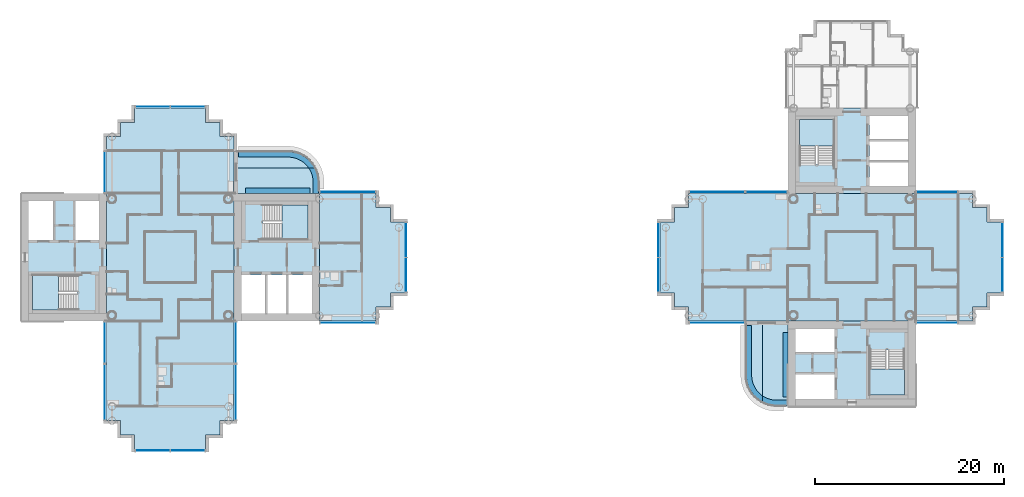
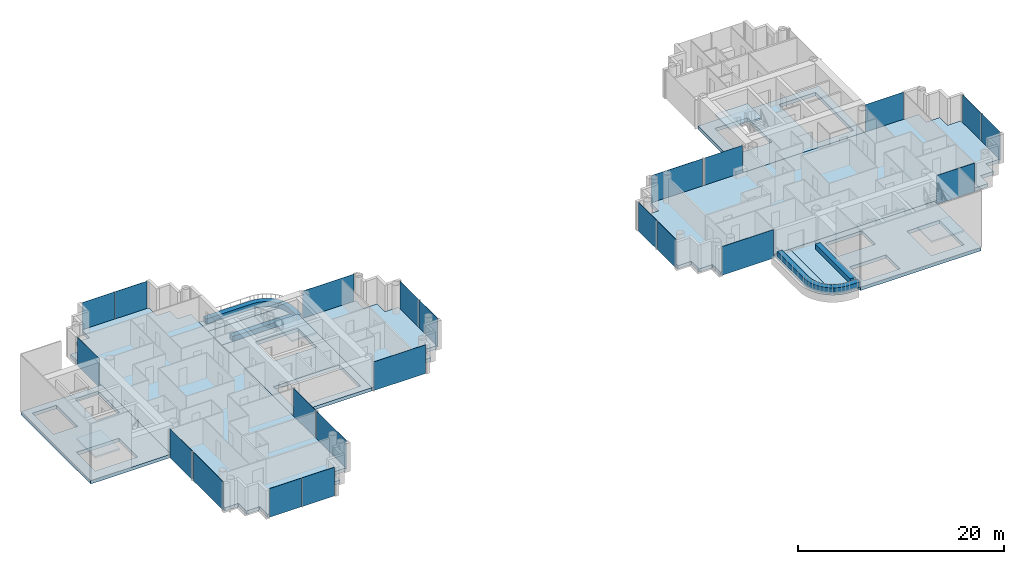
# One storey, part 5 of 19: 22 plates, 21 slabs, 21 elements without a shape of their own.
"""IFC4 building model written with IfcOpenShell, lengths in metres."""

from ifc_helpers import new_model, si_unit, direction, frame, origin, origin_2d, place, context, subcontext, project, spatial, polyline, rectangle, outline, extrude, material, layer, layer_set, type_object, element, aggregate, save


model = new_model("IFC4")

# Units and contexts
model_context = context("Model", 3, precision=1e-05, world=origin(), true_north=direction((0.0, 1.0)))
body_context = subcontext(model_context, "Body", "Model", "MODEL_VIEW")
ifc_project = project(units=[si_unit("LENGTHUNIT", "METRE"), si_unit("AREAUNIT", "SQUARE_METRE"), si_unit("VOLUMEUNIT", "CUBIC_METRE"), si_unit("PLANEANGLEUNIT", "RADIAN"), si_unit("MASSUNIT", "GRAM", prefix="KILO")], contexts=[model_context])

# Site, building, storey
site_placement = place(None, origin())
site = spatial("IfcSite", under=ifc_project, at=site_placement, CompositionType="ELEMENT")
building_placement = place(site_placement, origin())
building = spatial("IfcBuilding", under=site, at=building_placement, Name="Ipe Terrace Towers", CompositionType="ELEMENT")
storey_placement = place(building_placement, frame((0.0, 0.0, 147.300048828125)))
storey = spatial("IfcBuildingStorey", under=building, at=storey_placement, Name="L40", CompositionType="ELEMENT", Elevation=147.300048828125)

# Slabs
ifc_material_1 = material(Name="Concrete C30/37", Category="concrete")
ifc_layer_1 = layer(ifc_material_1, 0.199951171875)
ifc_layer_set_1 = layer_set([ifc_layer_1], Name="BALCONY SLAB 200")
slab_type_1 = type_object("IfcSlabType", Name="BALCONY SLAB 200", PredefinedType="FLOOR", material=ifc_layer_set_1)
slab_1_placement = place(storey_placement, frame((0.0, 0.0, -0.219970703125)))
element("IfcSlab", 1, at=slab_1_placement, inside=storey, type_object=slab_type_1, Name="balcony slab", PredefinedType="FLOOR", context=body_context, shape_type="SweptSolid", body=[
    extrude(outline(polyline([(-20.5009765625, 9.212890625), (-20.617919921875, 9.449951171875), (-29.25, 9.449951171875), (-29.25, 6.75), (-20.25, 6.75), (-20.25, 7.949951171875), (-20.278076171875, 8.381103515625), (-20.362060546875, 8.803955078125), (-20.5009765625, 9.212890625)])), origin(), (0.0, 0.0, 1.0), 0.199951171875),
])
slab_2_placement = place(storey_placement, frame((0.0, 0.0, -0.219970703125)))
element("IfcSlab", 2, at=slab_2_placement, inside=storey, type_object=slab_type_1, Name="balcony slab", PredefinedType="FLOOR", context=body_context, shape_type="SweptSolid", body=[
    extrude(outline(polyline([(-29.25, 11.25), (-29.25, 9.449951171875), (-20.617919921875, 9.449951171875), (-20.69189453125, 9.60009765625), (-20.931884765625, 9.958984375), (-21.217041015625, 10.282958984375), (-21.541015625, 10.568115234375), (-21.89990234375, 10.80810546875), (-22.287109375, 10.9990234375), (-22.696044921875, 11.137939453125), (-23.118896484375, 11.221923828125), (-23.550048828125, 11.25), (-29.25, 11.25)])), origin(), (0.0, 0.0, 1.0), 0.199951171875),
])
slab_3_placement = place(storey_placement, frame((0.0, 0.0, -0.219970703125)))
element("IfcSlab", 3, at=slab_3_placement, inside=storey, type_object=slab_type_1, Name="balcony slab", PredefinedType="FLOOR", context=body_context, shape_type="SweptSolid", body=[
    extrude(outline(polyline([(26.787109375, -15.4990234375), (27.196044921875, -15.637939453125), (27.618896484375, -15.721923828125), (28.050048828125, -15.75), (29.25, -15.75), (29.25, -6.75), (26.550048828125, -6.75), (26.550048828125, -15.382080078125), (26.787109375, -15.4990234375)])), origin(), (0.0, 0.0, 1.0), 0.199951171875),
])
slab_4_placement = place(storey_placement, frame((0.0, 0.0, -0.219970703125)))
element("IfcSlab", 4, at=slab_4_placement, inside=storey, type_object=slab_type_1, Name="balcony slab", PredefinedType="FLOOR", context=body_context, shape_type="SweptSolid", body=[
    extrude(outline(polyline([(24.75, -6.75), (24.75, -12.449951171875), (24.778076171875, -12.881103515625), (24.862060546875, -13.303955078125), (25.0009765625, -13.712890625), (25.19189453125, -14.10009765625), (25.431884765625, -14.458984375), (25.717041015625, -14.782958984375), (26.041015625, -15.068115234375), (26.39990234375, -15.30810546875), (26.550048828125, -15.382080078125), (26.550048828125, -6.75), (24.75, -6.75)])), origin(), (0.0, 0.0, 1.0), 0.199951171875),
])
ifc_material_2 = material(Name="Concrete C30/37", Category="concrete")
ifc_layer_2 = layer(ifc_material_2, 0.39990234375)
ifc_layer_set_2 = layer_set([ifc_layer_2], Name="CORE FLOOR SLAB 400 C30-37")
slab_type_2 = type_object("IfcSlabType", Name="CORE FLOOR SLAB 400 C30-37", PredefinedType="FLOOR", material=ifc_layer_set_2)
slab_5_placement = place(storey_placement, frame((0.0, 0.0, -0.400146484375)))
element("IfcSlab", 5, at=slab_5_placement, inside=storey, type_object=slab_type_2, Name="Core floor T1-C1", PredefinedType="FLOOR", context=body_context, shape_type="SweptSolid", body=[
    extrude(outline(polyline([(-29.25, -6.75), (-29.25, 6.75), (-20.25, 6.75), (-20.25, -6.75), (-29.25, -6.75)]), holes=[polyline([(-28.449951171875, -5.949951171875), (-21.050048828125, -5.949951171875), (-21.050048828125, -1.85009765625), (-28.449951171875, -1.85009765625), (-28.449951171875, -5.949951171875)]), polyline([(-26.199951171875, 5.550048828125), (-26.199951171875, 1.89990234375), (-21.449951171875, 1.89990234375), (-21.449951171875, 5.550048828125), (-26.199951171875, 5.550048828125)])]), origin(), (0.0, 0.0, 1.0), 0.400146484375),
])
slab_6_placement = place(storey_placement, frame((0.0, 0.0, -0.400146484375)))
element("IfcSlab", 6, at=slab_6_placement, inside=storey, type_object=slab_type_2, Name="Core floor T1-C2", PredefinedType="FLOOR", context=body_context, shape_type="SweptSolid", body=[
    extrude(outline(polyline([(-51.75, -6.75), (-51.75, 6.75), (-42.75, 6.75), (-42.75, -6.75), (-51.75, -6.75)]), holes=[polyline([(-45.800048828125, -1.89990234375), (-50.550048828125, -1.89990234375), (-50.550048828125, -5.550048828125), (-45.800048828125, -5.550048828125), (-45.800048828125, -1.89990234375)]), polyline([(-48.25, 1.85009765625), (-48.25, 5.949951171875), (-50.949951171875, 5.949951171875), (-50.949951171875, 1.85009765625), (-48.25, 1.85009765625)]), polyline([(-43.550048828125, 1.85009765625), (-43.550048828125, 5.949951171875), (-46.14990234375, 5.949951171875), (-46.14990234375, 1.85009765625), (-43.550048828125, 1.85009765625)])]), origin(), (0.0, 0.0, 1.0), 0.400146484375),
])
slab_7_placement = place(storey_placement, frame((0.0, 0.0, -0.400146484375)))
element("IfcSlab", 7, at=slab_7_placement, inside=storey, type_object=slab_type_2, Name="Core floor T2-C1", PredefinedType="FLOOR", context=body_context, shape_type="SweptSolid", body=[
    extrude(outline(polyline([(29.25, 6.75), (29.25, 15.75), (42.75, 15.75), (42.75, 6.75), (29.25, 6.75)]), holes=[polyline([(41.949951171875, 7.550048828125), (41.949951171875, 14.949951171875), (37.85009765625, 14.949951171875), (37.85009765625, 7.550048828125), (41.949951171875, 7.550048828125)]), polyline([(30.449951171875, 9.800048828125), (34.10009765625, 9.800048828125), (34.10009765625, 14.550048828125), (30.449951171875, 14.550048828125), (30.449951171875, 9.800048828125)])]), origin(), (0.0, 0.0, 1.0), 0.400146484375),
])
slab_8_placement = place(storey_placement, frame((0.0, 0.0, -0.400146484375)))
element("IfcSlab", 8, at=slab_8_placement, inside=storey, type_object=slab_type_2, Name="Core floor T2-C2", PredefinedType="FLOOR", context=body_context, shape_type="SweptSolid", body=[
    extrude(outline(polyline([(29.25, -15.75), (29.25, -6.75), (42.75, -6.75), (42.75, -15.75), (29.25, -15.75)]), holes=[polyline([(30.050048828125, -12.25), (30.050048828125, -14.949951171875), (34.14990234375, -14.949951171875), (34.14990234375, -12.25), (30.050048828125, -12.25)]), polyline([(41.550048828125, -9.800048828125), (37.89990234375, -9.800048828125), (37.89990234375, -14.550048828125), (41.550048828125, -14.550048828125), (41.550048828125, -9.800048828125)]), polyline([(34.14990234375, -7.550048828125), (30.050048828125, -7.550048828125), (30.050048828125, -10.14990234375), (34.14990234375, -10.14990234375), (34.14990234375, -7.550048828125)])]), origin(), (0.0, 0.0, 1.0), 0.400146484375),
])

# Stair, slab
ifc_material_3 = material(Name="Concrete C30/37", Category="concrete")
stair_type = type_object("IfcStairType", Name="Protected exit stair", PredefinedType="HALF_TURN_STAIR", material=ifc_material_3)
stair_1_placement = place(storey_placement, origin())
stair_1 = element("IfcStair", 9, at=stair_1_placement, inside=storey, type_object=stair_type, Name="L40 Exit stair T1-C1", PredefinedType="HALF_TURN_STAIR")
ifc_material_4 = material(Name="Concrete C30/37", Category="concrete")
ifc_layer_3 = layer(ifc_material_4, 0.199951171875)
ifc_layer_set_3 = layer_set([ifc_layer_3], Name="Exit stair landing 200")
slab_type_3 = type_object("IfcSlabType", Name="Exit stair landing 200", PredefinedType="LANDING", material=ifc_layer_set_3)
slab_9_placement = place(storey_placement, frame((0.0, 0.0, 1.5)))
slab_9 = element("IfcSlab", 10, at=slab_9_placement, type_object=slab_type_3, Name="T1-ST1 landing 1", PredefinedType="LANDING", context=body_context, shape_type="SweptSolid", body=[
    extrude(outline(polyline([(-24.219970703125, 1.89990234375), (-21.449951171875, 1.89990234375), (-21.449951171875, 5.550048828125), (-24.219970703125, 5.550048828125), (-24.219970703125, 1.89990234375)])), origin(), (0.0, 0.0, 1.0), 0.199951171875),
])
aggregate(stair_1, [slab_9])

stair_2_placement = place(storey_placement, origin())
stair_2 = element("IfcStair", 11, at=stair_2_placement, inside=storey, type_object=stair_type, Name="L40 Exit stair T1-C2", PredefinedType="HALF_TURN_STAIR")
slab_10_placement = place(storey_placement, frame((0.0, 0.0, 1.5)))
slab_10 = element("IfcSlab", 12, at=slab_10_placement, type_object=slab_type_3, Name="T1-ST2 landing 1", PredefinedType="LANDING", context=body_context, shape_type="SweptSolid", body=[
    extrude(outline(polyline([(-47.780029296875, -1.89990234375), (-50.550048828125, -1.89990234375), (-50.550048828125, -5.550048828125), (-47.780029296875, -5.550048828125), (-47.780029296875, -1.89990234375)])), origin(), (0.0, 0.0, 1.0), 0.199951171875),
])
aggregate(stair_2, [slab_10])

stair_3_placement = place(storey_placement, origin())
stair_3 = element("IfcStair", 13, at=stair_3_placement, inside=storey, type_object=stair_type, Name="L40 Exit stair T2-C1", PredefinedType="HALF_TURN_STAIR")
slab_11_placement = place(storey_placement, frame((0.0, 0.0, 1.5)))
slab_11 = element("IfcSlab", 14, at=slab_11_placement, type_object=slab_type_3, Name="T2-ST1 landing 1", PredefinedType="LANDING", context=body_context, shape_type="SweptSolid", body=[
    extrude(outline(polyline([(34.10009765625, 11.780029296875), (34.10009765625, 14.550048828125), (30.449951171875, 14.550048828125), (30.449951171875, 11.780029296875), (34.10009765625, 11.780029296875)])), origin(), (0.0, 0.0, 1.0), 0.199951171875),
])
aggregate(stair_3, [slab_11])

stair_4_placement = place(storey_placement, origin())
stair_4 = element("IfcStair", 15, at=stair_4_placement, inside=storey, type_object=stair_type, Name="L40 Exit stair T2-C2", PredefinedType="HALF_TURN_STAIR")
slab_12_placement = place(storey_placement, frame((0.0, 0.0, 1.5)))
slab_12 = element("IfcSlab", 16, at=slab_12_placement, type_object=slab_type_3, Name="T2-ST2 landing 1", PredefinedType="LANDING", context=body_context, shape_type="SweptSolid", body=[
    extrude(outline(polyline([(37.89990234375, -11.780029296875), (37.89990234375, -14.550048828125), (41.550048828125, -14.550048828125), (41.550048828125, -11.780029296875), (37.89990234375, -11.780029296875)])), origin(), (0.0, 0.0, 1.0), 0.199951171875),
])
aggregate(stair_4, [slab_12])

# Slabs
ifc_material_5 = material(Name="Concrete C40/50", Category="concrete")
ifc_layer_4 = layer(ifc_material_5, 0.39990234375)
ifc_layer_set_4 = layer_set([ifc_layer_4], Name="FLAT PLATE SLAB 400 C40-50")
slab_type_4 = type_object("IfcSlabType", Name="FLAT PLATE SLAB 400 C40-50", PredefinedType="FLOOR", material=ifc_layer_set_4)
slab_13_placement = place(storey_placement, frame((0.0, 0.0, -0.400146484375)))
element("IfcSlab", 17, at=slab_13_placement, inside=storey, type_object=slab_type_4, Name="Slab T1-FS-Z31", PredefinedType="FLOOR", context=body_context, shape_type="SweptSolid", body=[
    extrude(outline(polyline([(-30.75, -17.25), (-30.75, -18.75), (-32.25, -18.75), (-32.25, -20.25), (-39.75, -20.25), (-39.75, -18.75), (-41.25, -18.75), (-41.25, -17.25), (-42.75, -17.25), (-42.75, -6.75), (-42.75, 6.75), (-42.75, 12.75), (-41.25, 12.75), (-41.25, 14.25), (-39.75, 14.25), (-39.75, 15.75), (-32.25, 15.75), (-32.25, 14.25), (-30.75, 14.25), (-30.75, 12.75), (-29.25, 12.75), (-29.25, 6.75), (-29.25, -6.75), (-29.25, -17.25), (-30.75, -17.25)])), origin(), (0.0, 0.0, 1.0), 0.400146484375),
])
slab_14_placement = place(storey_placement, frame((0.0, 0.0, -0.400146484375)))
element("IfcSlab", 18, at=slab_14_placement, inside=storey, type_object=slab_type_4, Name="Slab T1-FS-Z32", PredefinedType="FLOOR", context=body_context, shape_type="SweptSolid", body=[
    extrude(outline(polyline([(-14.25, 5.25), (-12.75, 5.25), (-12.75, 3.75), (-11.25, 3.75), (-11.25, -3.75), (-12.75, -3.75), (-12.75, -5.25), (-14.25, -5.25), (-14.25, -6.75), (-20.25, -6.75), (-20.25, 6.75), (-14.25, 6.75), (-14.25, 5.25)])), origin(), (0.0, 0.0, 1.0), 0.400146484375),
])
slab_15_placement = place(storey_placement, frame((0.0, 0.0, -0.400146484375)))
element("IfcSlab", 19, at=slab_15_placement, inside=storey, type_object=slab_type_4, Name="Slab T2-FS-Z31", PredefinedType="FLOOR", context=body_context, shape_type="SweptSolid", body=[
    extrude(outline(polyline([(48.75, 5.25), (50.25, 5.25), (50.25, 3.75), (51.75, 3.75), (51.75, -3.75), (50.25, -3.75), (50.25, -5.25), (48.75, -5.25), (48.75, -6.75), (42.75, -6.75), (29.25, -6.75), (18.75, -6.75), (18.75, -5.25), (17.25, -5.25), (17.25, -3.75), (15.75, -3.75), (15.75, 3.75), (17.25, 3.75), (17.25, 5.25), (18.75, 5.25), (18.75, 6.75), (29.25, 6.75), (42.75, 6.75), (48.75, 6.75), (48.75, 5.25)])), origin(), (0.0, 0.0, 1.0), 0.400146484375),
])
ifc_material_6 = material(Name="Concrete C30/37", Category="concrete")
ifc_layer_5 = layer(ifc_material_6, 0.60009765625)
ifc_layer_set_5 = layer_set([ifc_layer_5], Name="PLANTER TROUGH 550 x 600")
slab_type_5 = type_object("IfcSlabType", Name="PLANTER TROUGH 550 x 600", PredefinedType="USERDEFINED", material=ifc_layer_set_5)
slab_16_placement = place(storey_placement, frame((0.0, 0.0, -0.02001953125)))
element("IfcSlab", 20, at=slab_16_placement, inside=storey, type_object=slab_type_5, Name="planter", ObjectType="PLANTER", PredefinedType="USERDEFINED", context=body_context, shape_type="SweptSolid", body=[
    extrude(outline(polyline([(-21.0009765625, 8.633056640625), (-20.93408203125, 8.2939453125), (-20.909912109375, 7.927978515625), (-20.909912109375, 6.75), (-20.360107421875, 6.75), (-20.360107421875, 7.93701171875), (-20.361083984375, 7.955078125), (-20.385986328125, 8.347900390625), (-20.39111328125, 8.384033203125), (-20.465087890625, 8.758056640625), (-20.47509765625, 8.79296875), (-20.596923828125, 9.154052734375), (-20.611083984375, 9.18701171875), (-20.740966796875, 9.449951171875), (-21.385986328125, 9.449951171875), (-21.264892578125, 9.26904296875), (-21.112060546875, 8.9599609375), (-21.0009765625, 8.633056640625)])), origin(), (0.0, 0.0, 1.0), 0.599853515625),
])
slab_17_placement = place(storey_placement, frame((0.0, 0.0, -0.02001953125)))
element("IfcSlab", 21, at=slab_17_placement, inside=storey, type_object=slab_type_5, Name="planter", ObjectType="PLANTER", PredefinedType="USERDEFINED", context=body_context, shape_type="SweptSolid", body=[
    extrude(outline(polyline([(-21.45703125, 9.555908203125), (-21.385986328125, 9.449951171875), (-20.740966796875, 9.449951171875), (-20.780029296875, 9.529052734375), (-20.798095703125, 9.56005859375), (-21.009033203125, 9.876953125), (-21.031005859375, 9.905029296875), (-21.282958984375, 10.19189453125), (-21.30810546875, 10.217041015625), (-21.594970703125, 10.468994140625), (-21.623046875, 10.490966796875), (-21.93994140625, 10.701904296875), (-21.970947265625, 10.719970703125), (-22.31298828125, 10.888916015625), (-22.345947265625, 10.903076171875), (-22.70703125, 11.02490234375), (-22.741943359375, 11.034912109375), (-23.115966796875, 11.10888671875), (-23.152099609375, 11.114013671875), (-23.544921875, 11.138916015625), (-23.56298828125, 11.139892578125), (-28.800048828125, 11.139892578125), (-28.800048828125, 10.590087890625), (-23.572021484375, 10.590087890625), (-23.2060546875, 10.56591796875), (-22.866943359375, 10.4990234375), (-22.5400390625, 10.387939453125), (-22.23095703125, 10.235107421875), (-21.944091796875, 10.04296875), (-21.68408203125, 9.81591796875), (-21.45703125, 9.555908203125)])), origin(), (0.0, 0.0, 1.0), 0.599853515625),
])
slab_18_placement = place(storey_placement, frame((0.0, 0.0, -0.02001953125)))
element("IfcSlab", 22, at=slab_18_placement, inside=storey, type_object=slab_type_5, Name="planter", ObjectType="PLANTER", PredefinedType="USERDEFINED", context=body_context, shape_type="SweptSolid", body=[
    extrude(outline(polyline([(-28.050048828125, 6.75), (-21.25, 6.75), (-21.25, 7.300048828125), (-28.050048828125, 7.300048828125), (-28.050048828125, 6.75)])), origin(), (0.0, 0.0, 1.0), 0.599853515625),
])
slab_19_placement = place(storey_placement, frame((0.0, 0.0, -0.02001953125)))
element("IfcSlab", 23, at=slab_19_placement, inside=storey, type_object=slab_type_5, Name="planter", ObjectType="PLANTER", PredefinedType="USERDEFINED", context=body_context, shape_type="SweptSolid", body=[
    extrude(outline(polyline([(27.366943359375, -14.9990234375), (27.0400390625, -14.887939453125), (26.73095703125, -14.735107421875), (26.550048828125, -14.614013671875), (26.550048828125, -15.259033203125), (26.81298828125, -15.388916015625), (26.845947265625, -15.403076171875), (27.20703125, -15.52490234375), (27.241943359375, -15.534912109375), (27.615966796875, -15.60888671875), (27.652099609375, -15.614013671875), (28.044921875, -15.638916015625), (28.06298828125, -15.639892578125), (29.25, -15.639892578125), (29.25, -15.090087890625), (28.072021484375, -15.090087890625), (27.7060546875, -15.06591796875), (27.366943359375, -14.9990234375)])), origin(), (0.0, 0.0, 1.0), 0.599853515625),
])
slab_20_placement = place(storey_placement, frame((0.0, 0.0, -0.02001953125)))
element("IfcSlab", 24, at=slab_20_placement, inside=storey, type_object=slab_type_5, Name="planter", ObjectType="PLANTER", PredefinedType="USERDEFINED", context=body_context, shape_type="SweptSolid", body=[
    extrude(outline(polyline([(26.444091796875, -14.54296875), (26.18408203125, -14.31591796875), (25.95703125, -14.055908203125), (25.764892578125, -13.76904296875), (25.612060546875, -13.4599609375), (25.5009765625, -13.133056640625), (25.43408203125, -12.7939453125), (25.409912109375, -12.427978515625), (25.409912109375, -7.199951171875), (24.860107421875, -7.199951171875), (24.860107421875, -12.43701171875), (24.861083984375, -12.455078125), (24.885986328125, -12.847900390625), (24.89111328125, -12.884033203125), (24.965087890625, -13.258056640625), (24.97509765625, -13.29296875), (25.096923828125, -13.654052734375), (25.111083984375, -13.68701171875), (25.280029296875, -14.029052734375), (25.298095703125, -14.06005859375), (25.509033203125, -14.376953125), (25.531005859375, -14.405029296875), (25.782958984375, -14.69189453125), (25.80810546875, -14.717041015625), (26.094970703125, -14.968994140625), (26.123046875, -14.990966796875), (26.43994140625, -15.201904296875), (26.470947265625, -15.219970703125), (26.550048828125, -15.259033203125), (26.550048828125, -14.614013671875), (26.444091796875, -14.54296875)])), origin(), (0.0, 0.0, 1.0), 0.599853515625),
])
slab_21_placement = place(storey_placement, frame((0.0, 0.0, -0.02001953125)))
element("IfcSlab", 25, at=slab_21_placement, inside=storey, type_object=slab_type_5, Name="planter", ObjectType="PLANTER", PredefinedType="USERDEFINED", context=body_context, shape_type="SweptSolid", body=[
    extrude(outline(polyline([(29.25, -7.949951171875), (28.699951171875, -7.949951171875), (28.699951171875, -14.75), (29.25, -14.75), (29.25, -7.949951171875)])), origin(), (0.0, 0.0, 1.0), 0.599853515625),
])

# Curtain wall, plate
ifc_material_7 = material(Name="Aluminium alloy 6063-T6", Category="aluminium")
ifc_layer_6 = layer(ifc_material_7, 0.320068359375)
ifc_layer_set_6 = layer_set([ifc_layer_6], Name="TOWER UNITISED CURTAIN WALL")
curtain_wall_type = type_object("IfcCurtainWallType", Name="TOWER UNITISED CURTAIN WALL", PredefinedType="NOTDEFINED", material=ifc_layer_set_6)
curtain_wall_1_placement = place(storey_placement, origin())
curtain_wall_1 = element("IfcCurtainWall", 26, at=curtain_wall_1_placement, inside=storey, type_object=curtain_wall_type, Name="T1-CW-L40-02a curtain wall", PredefinedType="NOTDEFINED")
ifc_material_8 = material(Name="Glass, clear laminated", Category="glass")
ifc_layer_7 = layer(ifc_material_8, 0.031982421875)
ifc_layer_set_7 = layer_set([ifc_layer_7], Name="TOWER UNITISED GLASS PANEL 32")
plate_type = type_object("IfcPlateType", Name="TOWER UNITISED GLASS PANEL 32", PredefinedType="CURTAIN_PANEL", material=ifc_layer_set_7)
plate_1_placement = place(storey_placement, frame((-42.909912109375, -9.0, -0.300048828125), z_axis=(0.0, 0.0, 1.0), x_axis=(0.0, -1.0, 0.0)))
plate_1 = element("IfcPlate", 27, at=plate_1_placement, type_object=plate_type, Name="T1-CW-L40-02a panel 1", PredefinedType="CURTAIN_PANEL", context=body_context, shape_type="SweptSolid", body=[
    extrude(rectangle(XDim=4.260009765625, YDim=0.031982421875, at=origin_2d()), origin(), (0.0, 0.0, 1.0), 3.39990234375),
])
aggregate(curtain_wall_1, [plate_1])

curtain_wall_2_placement = place(storey_placement, origin())
curtain_wall_2 = element("IfcCurtainWall", 28, at=curtain_wall_2_placement, inside=storey, type_object=curtain_wall_type, Name="T1-CW-L40-03a curtain wall", PredefinedType="NOTDEFINED")
plate_2_placement = place(storey_placement, frame((-42.909912109375, -14.25, -0.300048828125), z_axis=(0.0, 0.0, 1.0), x_axis=(0.0, -1.0, 0.0)))
plate_2 = element("IfcPlate", 29, at=plate_2_placement, type_object=plate_type, Name="T1-CW-L40-03a panel 1", PredefinedType="CURTAIN_PANEL", context=body_context, shape_type="SweptSolid", body=[
    extrude(rectangle(XDim=5.760009765625, YDim=0.031982421875, at=origin_2d()), origin(), (0.0, 0.0, 1.0), 3.39990234375),
])
aggregate(curtain_wall_2, [plate_2])

# Curtain wall, plates
curtain_wall_3_placement = place(storey_placement, origin())
curtain_wall_3 = element("IfcCurtainWall", 30, at=curtain_wall_3_placement, inside=storey, type_object=curtain_wall_type, Name="T1-CW-L40-08a curtain wall", PredefinedType="NOTDEFINED")
plate_3_placement = place(storey_placement, frame((-37.831298828125, -20.409912109375, -0.300048828125), z_axis=(0.0, 0.0, 1.0), x_axis=(1.0, 0.0, 0.0)))
plate_3 = element("IfcPlate", 31, at=plate_3_placement, type_object=plate_type, Name="T1-CW-L40-08a panel 1", PredefinedType="CURTAIN_PANEL", context=body_context, shape_type="SweptSolid", body=[
    extrude(rectangle(XDim=3.597412109375, YDim=0.031982421875, at=origin_2d()), origin(), (0.0, 0.0, 1.0), 3.39990234375),
])
plate_4_placement = place(storey_placement, frame((-34.168701171875, -20.409912109375, -0.300048828125), z_axis=(0.0, 0.0, 1.0), x_axis=(1.0, 0.0, 0.0)))
plate_4 = element("IfcPlate", 32, at=plate_4_placement, type_object=plate_type, Name="T1-CW-L40-08a panel 2", PredefinedType="CURTAIN_PANEL", context=body_context, shape_type="SweptSolid", body=[
    extrude(rectangle(XDim=3.597412109375, YDim=0.031982421875, at=origin_2d()), origin(), (0.0, 0.0, 1.0), 3.39990234375),
])
aggregate(curtain_wall_3, [plate_3, plate_4])

# Curtain wall, plate
curtain_wall_4_placement = place(storey_placement, origin())
curtain_wall_4 = element("IfcCurtainWall", 33, at=curtain_wall_4_placement, inside=storey, type_object=curtain_wall_type, Name="T1-CW-L40-13a curtain wall", PredefinedType="NOTDEFINED")
plate_5_placement = place(storey_placement, frame((-29.090087890625, -14.25, -0.300048828125), z_axis=(0.0, 0.0, 1.0), x_axis=(0.0, 1.0, 0.0)))
plate_5 = element("IfcPlate", 34, at=plate_5_placement, type_object=plate_type, Name="T1-CW-L40-13a panel 1", PredefinedType="CURTAIN_PANEL", context=body_context, shape_type="SweptSolid", body=[
    extrude(rectangle(XDim=5.760009765625, YDim=0.031982421875, at=origin_2d()), origin(), (0.0, 0.0, 1.0), 3.39990234375),
])
aggregate(curtain_wall_4, [plate_5])

curtain_wall_5_placement = place(storey_placement, origin())
curtain_wall_5 = element("IfcCurtainWall", 35, at=curtain_wall_5_placement, inside=storey, type_object=curtain_wall_type, Name="T1-CW-L40-14a curtain wall", PredefinedType="NOTDEFINED")
plate_6_placement = place(storey_placement, frame((-29.090087890625, -9.0, -0.300048828125), z_axis=(0.0, 0.0, 1.0), x_axis=(0.0, 1.0, 0.0)))
plate_6 = element("IfcPlate", 36, at=plate_6_placement, type_object=plate_type, Name="T1-CW-L40-14a panel 1", PredefinedType="CURTAIN_PANEL", context=body_context, shape_type="SweptSolid", body=[
    extrude(rectangle(XDim=4.260009765625, YDim=0.031982421875, at=origin_2d()), origin(), (0.0, 0.0, 1.0), 3.39990234375),
])
aggregate(curtain_wall_5, [plate_6])

curtain_wall_6_placement = place(storey_placement, origin())
curtain_wall_6 = element("IfcCurtainWall", 37, at=curtain_wall_6_placement, inside=storey, type_object=curtain_wall_type, Name="T1-CW-L40-16b curtain wall", PredefinedType="NOTDEFINED")
plate_7_placement = place(storey_placement, frame((-17.24951171875, -6.909912109375, -0.300048828125), z_axis=(0.0, 0.0, 1.0), x_axis=(1.0, 0.0, 0.0)))
plate_7 = element("IfcPlate", 38, at=plate_7_placement, type_object=plate_type, Name="T1-CW-L40-16b panel 1", PredefinedType="CURTAIN_PANEL", context=body_context, shape_type="SweptSolid", body=[
    extrude(rectangle(XDim=5.759033203125, YDim=0.031982421875, at=origin_2d()), origin(), (0.0, 0.0, 1.0), 3.39990234375),
])
aggregate(curtain_wall_6, [plate_7])

# Curtain wall, plates
curtain_wall_7_placement = place(storey_placement, origin())
curtain_wall_7 = element("IfcCurtainWall", 39, at=curtain_wall_7_placement, inside=storey, type_object=curtain_wall_type, Name="T1-CW-L40-21a curtain wall", PredefinedType="NOTDEFINED")
plate_8_placement = place(storey_placement, frame((-11.090087890625, -1.831298828125, -0.300048828125), z_axis=(0.0, 0.0, 1.0), x_axis=(0.0, 1.0, 0.0)))
plate_8 = element("IfcPlate", 40, at=plate_8_placement, type_object=plate_type, Name="T1-CW-L40-21a panel 1", PredefinedType="CURTAIN_PANEL", context=body_context, shape_type="SweptSolid", body=[
    extrude(rectangle(XDim=3.597412109375, YDim=0.031982421875, at=origin_2d()), origin(), (0.0, 0.0, 1.0), 3.39990234375),
])
plate_9_placement = place(storey_placement, frame((-11.090087890625, 1.831298828125, -0.300048828125), z_axis=(0.0, 0.0, 1.0), x_axis=(0.0, 1.0, 0.0)))
plate_9 = element("IfcPlate", 41, at=plate_9_placement, type_object=plate_type, Name="T1-CW-L40-21a panel 2", PredefinedType="CURTAIN_PANEL", context=body_context, shape_type="SweptSolid", body=[
    extrude(rectangle(XDim=3.597412109375, YDim=0.031982421875, at=origin_2d()), origin(), (0.0, 0.0, 1.0), 3.39990234375),
])
aggregate(curtain_wall_7, [plate_8, plate_9])

# Curtain wall, plate
curtain_wall_8_placement = place(storey_placement, origin())
curtain_wall_8 = element("IfcCurtainWall", 42, at=curtain_wall_8_placement, inside=storey, type_object=curtain_wall_type, Name="T1-CW-L40-26a curtain wall", PredefinedType="NOTDEFINED")
plate_10_placement = place(storey_placement, frame((-17.24951171875, 6.909912109375, -0.300048828125), z_axis=(0.0, 0.0, 1.0), x_axis=(-1.0, 0.0, 0.0)))
plate_10 = element("IfcPlate", 43, at=plate_10_placement, type_object=plate_type, Name="T1-CW-L40-26a panel 1", PredefinedType="CURTAIN_PANEL", context=body_context, shape_type="SweptSolid", body=[
    extrude(rectangle(XDim=5.759033203125, YDim=0.031982421875, at=origin_2d()), origin(), (0.0, 0.0, 1.0), 3.39990234375),
])
aggregate(curtain_wall_8, [plate_10])

# Curtain wall, plates
curtain_wall_9_placement = place(storey_placement, origin())
curtain_wall_9 = element("IfcCurtainWall", 44, at=curtain_wall_9_placement, inside=storey, type_object=curtain_wall_type, Name="T1-CW-L40-34a curtain wall", PredefinedType="NOTDEFINED")
plate_11_placement = place(storey_placement, frame((-34.168701171875, 15.909912109375, -0.300048828125), z_axis=(0.0, 0.0, 1.0), x_axis=(-1.0, 0.0, 0.0)))
plate_11 = element("IfcPlate", 45, at=plate_11_placement, type_object=plate_type, Name="T1-CW-L40-34a panel 1", PredefinedType="CURTAIN_PANEL", context=body_context, shape_type="SweptSolid", body=[
    extrude(rectangle(XDim=3.597412109375, YDim=0.031982421875, at=origin_2d()), origin(), (0.0, 0.0, 1.0), 3.39990234375),
])
plate_12_placement = place(storey_placement, frame((-37.831298828125, 15.909912109375, -0.300048828125), z_axis=(0.0, 0.0, 1.0), x_axis=(-1.0, 0.0, 0.0)))
plate_12 = element("IfcPlate", 46, at=plate_12_placement, type_object=plate_type, Name="T1-CW-L40-34a panel 2", PredefinedType="CURTAIN_PANEL", context=body_context, shape_type="SweptSolid", body=[
    extrude(rectangle(XDim=3.597412109375, YDim=0.031982421875, at=origin_2d()), origin(), (0.0, 0.0, 1.0), 3.39990234375),
])
aggregate(curtain_wall_9, [plate_11, plate_12])

# Curtain wall, plate
curtain_wall_10_placement = place(storey_placement, origin())
curtain_wall_10 = element("IfcCurtainWall", 47, at=curtain_wall_10_placement, inside=storey, type_object=curtain_wall_type, Name="T1-CW-L40-40a curtain wall", PredefinedType="NOTDEFINED")
plate_13_placement = place(storey_placement, frame((-42.909912109375, 9.0, -0.300048828125), z_axis=(0.0, 0.0, 1.0), x_axis=(0.0, -1.0, 0.0)))
plate_13 = element("IfcPlate", 48, at=plate_13_placement, type_object=plate_type, Name="T1-CW-L40-40a panel 1", PredefinedType="CURTAIN_PANEL", context=body_context, shape_type="SweptSolid", body=[
    extrude(rectangle(XDim=4.260009765625, YDim=0.031982421875, at=origin_2d()), origin(), (0.0, 0.0, 1.0), 3.39990234375),
])
aggregate(curtain_wall_10, [plate_13])

curtain_wall_11_placement = place(storey_placement, origin())
curtain_wall_11 = element("IfcCurtainWall", 49, at=curtain_wall_11_placement, inside=storey, type_object=curtain_wall_type, Name="T2-CW-L40-02a curtain wall", PredefinedType="NOTDEFINED")
plate_14_placement = place(storey_placement, frame((45.0, -6.909912109375, -0.300048828125), z_axis=(0.0, 0.0, 1.0), x_axis=(1.0, 0.0, 0.0)))
plate_14 = element("IfcPlate", 50, at=plate_14_placement, type_object=plate_type, Name="T2-CW-L40-02a panel 1", PredefinedType="CURTAIN_PANEL", context=body_context, shape_type="SweptSolid", body=[
    extrude(rectangle(XDim=4.260009765625, YDim=0.031982421875, at=origin_2d()), origin(), (0.0, 0.0, 1.0), 3.39990234375),
])
aggregate(curtain_wall_11, [plate_14])

# Curtain wall, plates
curtain_wall_12_placement = place(storey_placement, origin())
curtain_wall_12 = element("IfcCurtainWall", 51, at=curtain_wall_12_placement, inside=storey, type_object=curtain_wall_type, Name="T2-CW-L40-08a curtain wall", PredefinedType="NOTDEFINED")
plate_15_placement = place(storey_placement, frame((51.909912109375, -1.831298828125, -0.300048828125), z_axis=(0.0, 0.0, 1.0), x_axis=(0.0, 1.0, 0.0)))
plate_15 = element("IfcPlate", 52, at=plate_15_placement, type_object=plate_type, Name="T2-CW-L40-08a panel 1", PredefinedType="CURTAIN_PANEL", context=body_context, shape_type="SweptSolid", body=[
    extrude(rectangle(XDim=3.597412109375, YDim=0.031982421875, at=origin_2d()), origin(), (0.0, 0.0, 1.0), 3.39990234375),
])
plate_16_placement = place(storey_placement, frame((51.909912109375, 1.831298828125, -0.300048828125), z_axis=(0.0, 0.0, 1.0), x_axis=(0.0, 1.0, 0.0)))
plate_16 = element("IfcPlate", 53, at=plate_16_placement, type_object=plate_type, Name="T2-CW-L40-08a panel 2", PredefinedType="CURTAIN_PANEL", context=body_context, shape_type="SweptSolid", body=[
    extrude(rectangle(XDim=3.597412109375, YDim=0.031982421875, at=origin_2d()), origin(), (0.0, 0.0, 1.0), 3.39990234375),
])
aggregate(curtain_wall_12, [plate_15, plate_16])

# Curtain wall, plate
curtain_wall_13_placement = place(storey_placement, origin())
curtain_wall_13 = element("IfcCurtainWall", 54, at=curtain_wall_13_placement, inside=storey, type_object=curtain_wall_type, Name="T2-CW-L40-14a curtain wall", PredefinedType="NOTDEFINED")
plate_17_placement = place(storey_placement, frame((45.0, 6.909912109375, -0.300048828125), z_axis=(0.0, 0.0, 1.0), x_axis=(-1.0, 0.0, 0.0)))
plate_17 = element("IfcPlate", 55, at=plate_17_placement, type_object=plate_type, Name="T2-CW-L40-14a panel 1", PredefinedType="CURTAIN_PANEL", context=body_context, shape_type="SweptSolid", body=[
    extrude(rectangle(XDim=4.260009765625, YDim=0.031982421875, at=origin_2d()), origin(), (0.0, 0.0, 1.0), 3.39990234375),
])
aggregate(curtain_wall_13, [plate_17])

curtain_wall_14_placement = place(storey_placement, origin())
curtain_wall_14 = element("IfcCurtainWall", 56, at=curtain_wall_14_placement, inside=storey, type_object=curtain_wall_type, Name="T2-CW-L40-28a curtain wall", PredefinedType="NOTDEFINED")
plate_18_placement = place(storey_placement, frame((27.0, 6.909912109375, -0.300048828125), z_axis=(0.0, 0.0, 1.0), x_axis=(-1.0, 0.0, 0.0)))
plate_18 = element("IfcPlate", 57, at=plate_18_placement, type_object=plate_type, Name="T2-CW-L40-28a panel 1", PredefinedType="CURTAIN_PANEL", context=body_context, shape_type="SweptSolid", body=[
    extrude(rectangle(XDim=4.260009765625, YDim=0.031982421875, at=origin_2d()), origin(), (0.0, 0.0, 1.0), 3.39990234375),
])
aggregate(curtain_wall_14, [plate_18])

curtain_wall_15_placement = place(storey_placement, origin())
curtain_wall_15 = element("IfcCurtainWall", 58, at=curtain_wall_15_placement, inside=storey, type_object=curtain_wall_type, Name="T2-CW-L40-29a curtain wall", PredefinedType="NOTDEFINED")
plate_19_placement = place(storey_placement, frame((21.75, 6.909912109375, -0.300048828125), z_axis=(0.0, 0.0, 1.0), x_axis=(-1.0, 0.0, 0.0)))
plate_19 = element("IfcPlate", 59, at=plate_19_placement, type_object=plate_type, Name="T2-CW-L40-29a panel 1", PredefinedType="CURTAIN_PANEL", context=body_context, shape_type="SweptSolid", body=[
    extrude(rectangle(XDim=5.760009765625, YDim=0.031982421875, at=origin_2d()), origin(), (0.0, 0.0, 1.0), 3.39990234375),
])
aggregate(curtain_wall_15, [plate_19])

# Curtain wall, plates
curtain_wall_16_placement = place(storey_placement, origin())
curtain_wall_16 = element("IfcCurtainWall", 60, at=curtain_wall_16_placement, inside=storey, type_object=curtain_wall_type, Name="T2-CW-L40-34a curtain wall", PredefinedType="NOTDEFINED")
plate_20_placement = place(storey_placement, frame((15.590087890625, 1.831298828125, -0.300048828125), z_axis=(0.0, 0.0, 1.0), x_axis=(0.0, -1.0, 0.0)))
plate_20 = element("IfcPlate", 61, at=plate_20_placement, type_object=plate_type, Name="T2-CW-L40-34a panel 1", PredefinedType="CURTAIN_PANEL", context=body_context, shape_type="SweptSolid", body=[
    extrude(rectangle(XDim=3.597412109375, YDim=0.031982421875, at=origin_2d()), origin(), (0.0, 0.0, 1.0), 3.39990234375),
])
plate_21_placement = place(storey_placement, frame((15.590087890625, -1.831298828125, -0.300048828125), z_axis=(0.0, 0.0, 1.0), x_axis=(0.0, -1.0, 0.0)))
plate_21 = element("IfcPlate", 62, at=plate_21_placement, type_object=plate_type, Name="T2-CW-L40-34a panel 2", PredefinedType="CURTAIN_PANEL", context=body_context, shape_type="SweptSolid", body=[
    extrude(rectangle(XDim=3.597412109375, YDim=0.031982421875, at=origin_2d()), origin(), (0.0, 0.0, 1.0), 3.39990234375),
])
aggregate(curtain_wall_16, [plate_20, plate_21])

# Curtain wall, plate
curtain_wall_17_placement = place(storey_placement, origin())
curtain_wall_17 = element("IfcCurtainWall", 63, at=curtain_wall_17_placement, inside=storey, type_object=curtain_wall_type, Name="T2-CW-L40-39a curtain wall", PredefinedType="NOTDEFINED")
plate_22_placement = place(storey_placement, frame((21.75, -6.909912109375, -0.300048828125), z_axis=(0.0, 0.0, 1.0), x_axis=(1.0, 0.0, 0.0)))
plate_22 = element("IfcPlate", 64, at=plate_22_placement, type_object=plate_type, Name="T2-CW-L40-39a panel 1", PredefinedType="CURTAIN_PANEL", context=body_context, shape_type="SweptSolid", body=[
    extrude(rectangle(XDim=5.760009765625, YDim=0.031982421875, at=origin_2d()), origin(), (0.0, 0.0, 1.0), 3.39990234375),
])
aggregate(curtain_wall_17, [plate_22])

save(model, "model.ifc")
